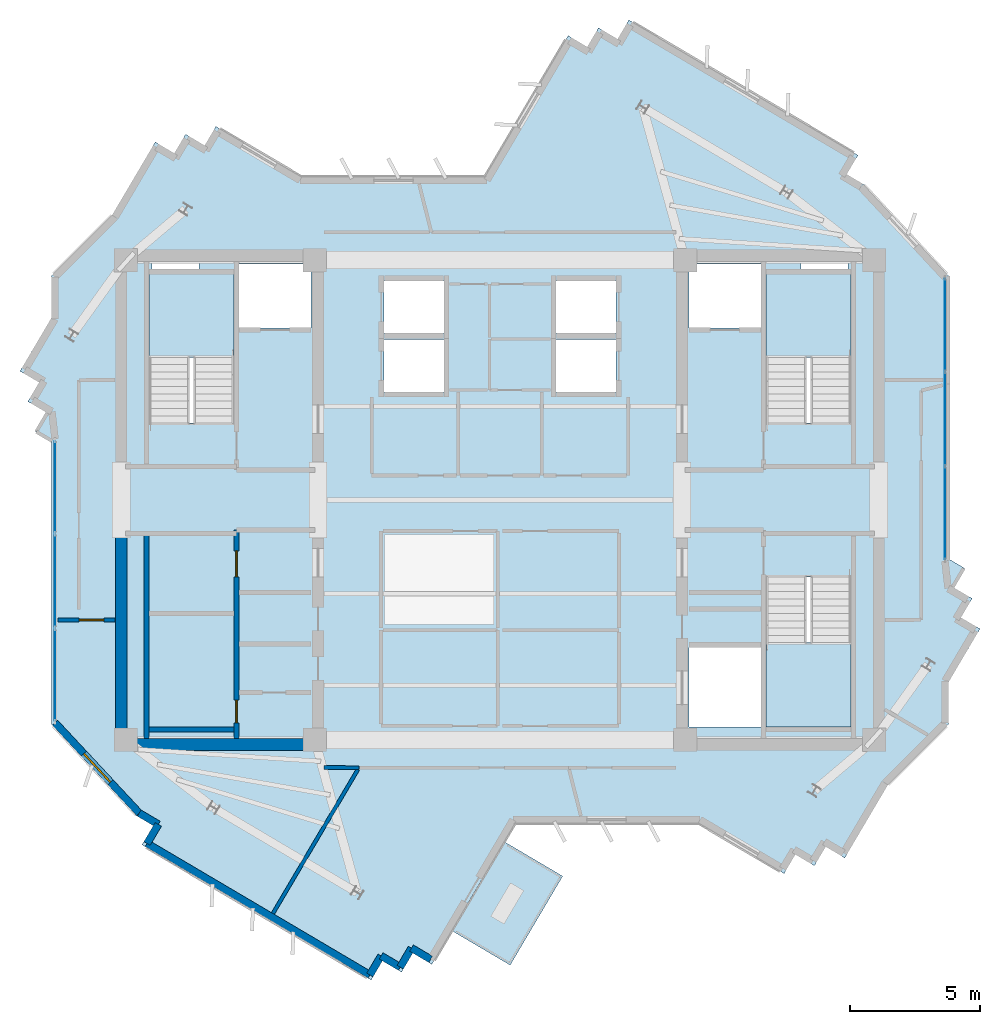
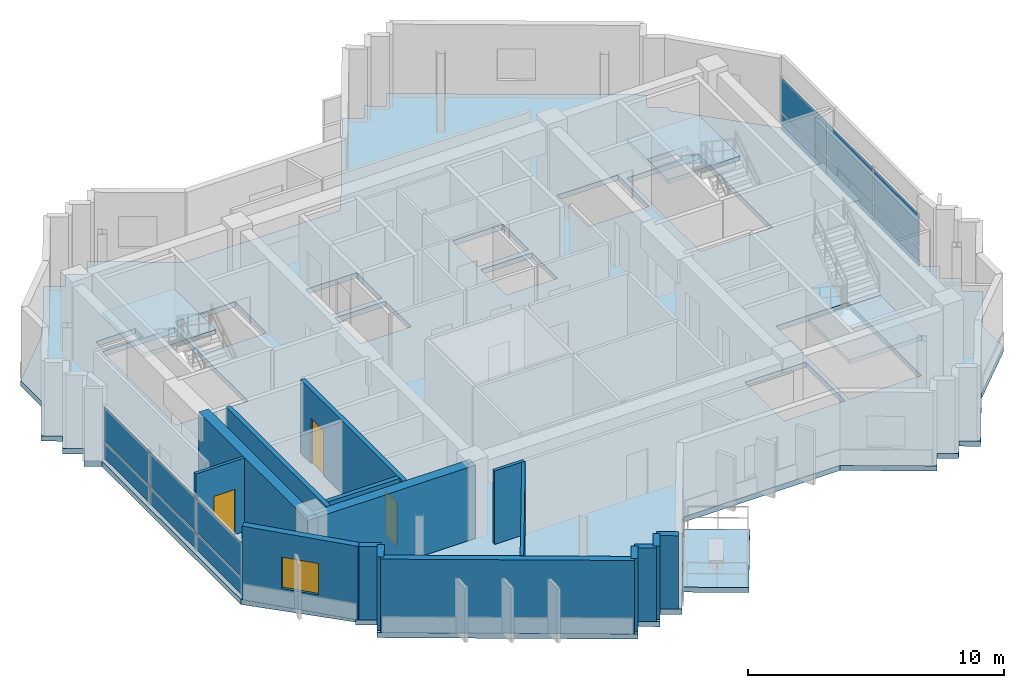
# One storey, part 3 of 10: 16 walls, 12 plates, 5 slabs, 3 doors, 1 window, 4 openings, 5 elements without a shape of their own.
"""IFC4 building model written with IfcOpenShell, lengths in metres."""

from ifc_helpers import new_model, si_unit, direction, frame, frame_2d, origin, origin_2d, place, context, subcontext, project, spatial, polyline, rectangle, outline, extrude, source, transform, mapped, material, layer, layer_set, type_object, element, fill, aggregate, save


model = new_model("IFC4")

# Units and contexts
model_context = context("Model", 3, precision=1e-05, world=origin(), true_north=direction((0.0, 1.0)))
body_context = subcontext(model_context, "Body", "Model", "MODEL_VIEW")
ifc_project = project(units=[si_unit("LENGTHUNIT", "METRE"), si_unit("AREAUNIT", "SQUARE_METRE"), si_unit("VOLUMEUNIT", "CUBIC_METRE"), si_unit("PLANEANGLEUNIT", "RADIAN"), si_unit("MASSUNIT", "GRAM", prefix="KILO")], contexts=[model_context])

# Site, building, storey
site_placement = place(None, origin())
site = spatial("IfcSite", under=ifc_project, at=site_placement, CompositionType="ELEMENT")
building_placement = place(site_placement, origin())
building = spatial("IfcBuilding", under=site, at=building_placement, Name="Zahravan Cultural Tower", CompositionType="ELEMENT")
storey_placement = place(building_placement, frame((0.0, 0.0, 346.050048828125)))
storey = spatial("IfcBuildingStorey", under=building, at=storey_placement, Name="L84", CompositionType="ELEMENT", Elevation=346.050048828125)

# Stair, slab
ifc_material_1 = material(Name="Concrete C45/55", Category="concrete")
stair_type = type_object("IfcStairType", Name="STR-DL-1550-375", PredefinedType="HALF_TURN_STAIR", material=ifc_material_1)
stair_1_placement = place(storey_placement, origin())
stair_1 = element("IfcStair", 1, at=stair_1_placement, inside=storey, type_object=stair_type, Name="L84 West Core North Exit Stair ST-W1", PredefinedType="HALF_TURN_STAIR")
ifc_layer_1 = layer(ifc_material_1, 0.199951171875)
ifc_layer_set_1 = layer_set([ifc_layer_1], Name="Concrete C45/55")
slab_type_1 = type_object("IfcSlabType", Name="SL-STAIR-LND200", PredefinedType="LANDING", material=ifc_layer_set_1)
slab_1_placement = place(storey_placement, frame((0.0, 0.0, 1.675048828125)))
slab_1 = element("IfcSlab", 2, at=slab_1_placement, type_object=slab_type_1, Name="ST-W1 landing 1", PredefinedType="LANDING", context=body_context, shape_type="SweptSolid", body=[
    extrude(outline(polyline([(25.800048828125, 32.469970703125), (25.800048828125, 35.699951171875), (22.550048828125, 35.699951171875), (22.550048828125, 32.469970703125), (25.800048828125, 32.469970703125)])), origin(), (0.0, 0.0, 1.0), 0.199951171875),
])
aggregate(stair_1, [slab_1])

stair_2_placement = place(storey_placement, origin())
stair_2 = element("IfcStair", 3, at=stair_2_placement, inside=storey, type_object=stair_type, Name="L84 East Core North Exit Stair ST-E1", PredefinedType="HALF_TURN_STAIR")
slab_2_placement = place(storey_placement, frame((0.0, 0.0, 1.675048828125)))
slab_2 = element("IfcSlab", 4, at=slab_2_placement, type_object=slab_type_1, Name="ST-E1 landing 1", PredefinedType="LANDING", context=body_context, shape_type="SweptSolid", body=[
    extrude(outline(polyline([(49.449951171875, 32.469970703125), (49.449951171875, 35.699951171875), (46.199951171875, 35.699951171875), (46.199951171875, 32.469970703125), (49.449951171875, 32.469970703125)])), origin(), (0.0, 0.0, 1.0), 0.199951171875),
])
aggregate(stair_2, [slab_2])

stair_3_placement = place(storey_placement, origin())
stair_3 = element("IfcStair", 5, at=stair_3_placement, inside=storey, type_object=stair_type, Name="L84 East Core South Exit Stair ST-E2", PredefinedType="HALF_TURN_STAIR")
slab_3_placement = place(storey_placement, frame((0.0, 0.0, 1.675048828125)))
slab_3 = element("IfcSlab", 6, at=slab_3_placement, type_object=slab_type_1, Name="ST-E2 landing 1", PredefinedType="LANDING", context=body_context, shape_type="SweptSolid", body=[
    extrude(outline(polyline([(46.199951171875, 21.530029296875), (46.199951171875, 18.300048828125), (49.449951171875, 18.300048828125), (49.449951171875, 21.530029296875), (46.199951171875, 21.530029296875)])), origin(), (0.0, 0.0, 1.0), 0.199951171875),
])
aggregate(stair_3, [slab_3])

# Slabs
ifc_material_2 = material(Name="Concrete C40/50", Category="concrete")
ifc_layer_2 = layer(ifc_material_2, 0.239990234375)
ifc_layer_set_2 = layer_set([ifc_layer_2], Name="Concrete C40/50")
slab_type_2 = type_object("IfcSlabType", Name="SL-TERR-240", PredefinedType="FLOOR", material=ifc_layer_set_2)
slab_4_placement = place(storey_placement, frame((0.0, 0.0, -0.239990234375)))
element("IfcSlab", 7, at=slab_4_placement, inside=storey, type_object=slab_type_2, Name="L84 Planted Sculpture Terrace SW", PredefinedType="FLOOR", context=body_context, shape_type="SweptSolid", body=[
    extrude(outline(polyline([(38.40234375, 12.576904296875), (36.16748046875, 13.895751953125), (34.15478515625, 10.4853515625), (36.389404296875, 9.16650390625), (38.40234375, 12.576904296875)])), origin(), (0.0, 0.0, 1.0), 0.239990234375),
])
ifc_layer_3 = layer(ifc_material_2, 0.25)
ifc_layer_set_3 = layer_set([ifc_layer_3], Name="Concrete C40/50")
slab_type_3 = type_object("IfcSlabType", Name="SL-TYP-250", PredefinedType="FLOOR", material=ifc_layer_set_3)
slab_5_placement = place(storey_placement, frame((0.0, 0.0, -0.25)))
element("IfcSlab", 8, at=slab_5_placement, inside=storey, type_object=slab_type_3, Name="L84 Structural Floor Slab", PredefinedType="FLOOR", context=body_context, shape_type="SweptSolid", body=[
    extrude(outline(polyline([(35.422607421875, 39.39990234375), (28.369140625, 39.39990234375), (25.10888671875, 41.32421875), (24.677001953125, 40.59228515625), (23.945068359375, 41.024169921875), (23.512939453125, 40.292236328125), (22.781005859375, 40.724365234375), (21.134033203125, 37.93408203125), (18.800048828125, 35.60009765625), (18.800048828125, 33.9794921875), (17.59619140625, 31.940185546875), (18.328369140625, 31.508056640625), (17.896240234375, 30.776123046875), (18.62841796875, 30.343994140625), (18.1962890625, 29.612060546875), (18.800048828125, 29.255615234375), (18.800048828125, 18.39990234375), (22.079345703125, 15.12060546875), (21.975830078125, 14.945068359375), (22.707763671875, 14.512939453125), (22.275634765625, 13.781005859375), (31.059814453125, 8.59619140625), (31.491943359375, 9.328369140625), (32.223876953125, 8.896240234375), (32.656005859375, 9.62841796875), (33.387939453125, 9.1962890625), (36.577392578125, 14.60009765625), (43.630859375, 14.60009765625), (46.89111328125, 12.67578125), (47.322998046875, 13.40771484375), (48.054931640625, 12.975830078125), (48.487060546875, 13.707763671875), (49.218994140625, 13.275634765625), (50.865966796875, 16.06591796875), (53.199951171875, 18.39990234375), (53.199951171875, 20.0205078125), (54.40380859375, 22.059814453125), (53.671630859375, 22.491943359375), (54.103759765625, 23.223876953125), (53.37158203125, 23.656005859375), (53.8037109375, 24.387939453125), (53.199951171875, 24.744384765625), (53.199951171875, 35.60009765625), (49.920654296875, 38.87939453125), (50.024169921875, 39.054931640625), (49.292236328125, 39.487060546875), (49.724365234375, 40.218994140625), (40.940185546875, 45.40380859375), (40.508056640625, 44.671630859375), (39.776123046875, 45.103759765625), (39.343994140625, 44.37158203125), (38.612060546875, 44.8037109375), (35.422607421875, 39.39990234375)]), holes=[polyline([(22.550048828125, 29.949951171875), (22.550048828125, 35.699951171875), (25.800048828125, 35.699951171875), (25.800048828125, 29.949951171875), (22.550048828125, 29.949951171875)]), polyline([(46.199951171875, 29.949951171875), (46.199951171875, 35.699951171875), (49.449951171875, 35.699951171875), (49.449951171875, 29.949951171875), (46.199951171875, 29.949951171875)]), polyline([(46.199951171875, 18.300048828125), (46.199951171875, 24.050048828125), (49.449951171875, 24.050048828125), (49.449951171875, 18.300048828125), (46.199951171875, 18.300048828125)]), polyline([(26.0, 33.60009765625), (26.0, 36.050048828125), (28.75, 36.050048828125), (28.75, 33.60009765625), (26.0, 33.60009765625)]), polyline([(43.25, 33.60009765625), (43.25, 36.050048828125), (46.0, 36.050048828125), (46.0, 33.60009765625), (43.25, 33.60009765625)]), polyline([(43.25, 18.300048828125), (43.25, 21.35009765625), (46.0, 21.35009765625), (46.0, 18.300048828125), (43.25, 18.300048828125)]), polyline([(31.550048828125, 33.39990234375), (31.550048828125, 35.39990234375), (33.85009765625, 35.39990234375), (33.85009765625, 33.39990234375), (31.550048828125, 33.39990234375)]), polyline([(31.550048828125, 31.14990234375), (31.550048828125, 33.14990234375), (33.85009765625, 33.14990234375), (33.85009765625, 31.14990234375), (31.550048828125, 31.14990234375)]), polyline([(38.14990234375, 33.39990234375), (38.14990234375, 35.39990234375), (40.449951171875, 35.39990234375), (40.449951171875, 33.39990234375), (38.14990234375, 33.39990234375)]), polyline([(38.14990234375, 31.14990234375), (38.14990234375, 33.14990234375), (40.449951171875, 33.14990234375), (40.449951171875, 31.14990234375), (38.14990234375, 31.14990234375)]), polyline([(22.64990234375, 35.800048828125), (22.64990234375, 36.419921875), (24.449951171875, 36.419921875), (24.449951171875, 35.800048828125), (22.64990234375, 35.800048828125)]), polyline([(47.550048828125, 35.800048828125), (47.550048828125, 36.419921875), (49.35009765625, 36.419921875), (49.35009765625, 35.800048828125), (47.550048828125, 35.800048828125)])]), origin(), (0.0, 0.0, 1.0), 0.25),
])

# Curtain wall, plates
ifc_material_3 = material(Name="Anodised bronze-aluminium mullion", Category="aluminium")
ifc_layer_4 = layer(ifc_material_3, 0.1650390625)
ifc_layer_set_4 = layer_set([ifc_layer_4], Name="Anodised bronze-aluminium mullion")
curtain_wall_type_1 = type_object("IfcCurtainWallType", Name="CW-SYS-4", PredefinedType="USERDEFINED", material=ifc_layer_set_4)
curtain_wall_1_placement = place(storey_placement, origin())
curtain_wall_1 = element("IfcCurtainWall", 9, at=curtain_wall_1_placement, inside=storey, type_object=curtain_wall_type_1, Name="L84 Recessed Curtain Wall CW-4.1", ObjectType="RECESSED GLAZING", PredefinedType="USERDEFINED")
ifc_material_4 = material(Name="Low-E solar-control double glazing", Category="glass")
ifc_layer_5 = layer(ifc_material_4, 0.02587890625)
ifc_layer_set_5 = layer_set([ifc_layer_5], Name="Low-E solar-control double glazing")
plate_type_1 = type_object("IfcPlateType", Name="CWP-CW-4", PredefinedType="CURTAIN_PANEL", material=ifc_layer_set_5)
shared_shape_1 = source(origin(), body_context, "Body", "SweptSolid", [
    extrude(rectangle(XDim=3.5283203125, YDim=0.02587890625, at=origin_2d()), origin(), (0.0, 0.0, 1.0), 0.802490234375),
])
plate_1_placement = place(storey_placement, frame((53.06005859375, 33.712890625, 0.06494140625), z_axis=(0.0, 0.0, 1.0), x_axis=(0.0, -1.0, 0.0)))
plate_1 = element("IfcPlate", 10, at=plate_1_placement, type_object=plate_type_1, Name="CW-4 panel 1.1", PredefinedType="CURTAIN_PANEL", context=body_context, shape_type="MappedRepresentation", body=[
    mapped(shared_shape_1, transform((0.0, 0.0, 0.0), x_axis=(1.0, 0.0, 0.0), y_axis=(0.0, 1.0, 0.0), z_axis=(0.0, 0.0, 1.0), scale=1.0)),
])
plate_2_placement = place(storey_placement, frame((53.06005859375, 26.49365234375, 0.06494140625), z_axis=(0.0, 0.0, 1.0), x_axis=(0.0, -1.0, 0.0)))
plate_2 = element("IfcPlate", 11, at=plate_2_placement, type_object=plate_type_1, Name="CW-4 panel 3.1", PredefinedType="CURTAIN_PANEL", context=body_context, shape_type="MappedRepresentation", body=[
    mapped(shared_shape_1, transform((0.0, 0.0, 0.0), x_axis=(1.0, 0.0, 0.0), y_axis=(0.0, 1.0, 0.0), z_axis=(0.0, 0.0, 1.0), scale=1.0)),
])
shared_shape_2 = source(origin(), body_context, "Body", "SweptSolid", [
    extrude(rectangle(XDim=3.5283203125, YDim=0.02587890625, at=origin_2d()), origin(), (0.0, 0.0, 1.0), 1.62255859375),
])
plate_3_placement = place(storey_placement, frame((53.06005859375, 33.712890625, 0.932373046875), z_axis=(0.0, 0.0, 1.0), x_axis=(0.0, -1.0, 0.0)))
plate_3 = element("IfcPlate", 12, at=plate_3_placement, type_object=plate_type_1, Name="CW-4 panel 1.2", PredefinedType="CURTAIN_PANEL", context=body_context, shape_type="MappedRepresentation", body=[
    mapped(shared_shape_2, transform((0.0, 0.0, 0.0), x_axis=(1.0, 0.0, 0.0), y_axis=(0.0, 1.0, 0.0), z_axis=(0.0, 0.0, 1.0), scale=1.0)),
])
plate_4_placement = place(storey_placement, frame((53.06005859375, 26.49365234375, 0.932373046875), z_axis=(0.0, 0.0, 1.0), x_axis=(0.0, -1.0, 0.0)))
plate_4 = element("IfcPlate", 13, at=plate_4_placement, type_object=plate_type_1, Name="CW-4 panel 3.2", PredefinedType="CURTAIN_PANEL", context=body_context, shape_type="MappedRepresentation", body=[
    mapped(shared_shape_2, transform((0.0, 0.0, 0.0), x_axis=(1.0, 0.0, 0.0), y_axis=(0.0, 1.0, 0.0), z_axis=(0.0, 0.0, 1.0), scale=1.0)),
])
shared_shape_3 = source(origin(), body_context, "Body", "SweptSolid", [
    extrude(rectangle(XDim=3.560791015625, YDim=0.02587890625, at=origin_2d()), origin(), (0.0, 0.0, 1.0), 0.802490234375),
])
plate_5_placement = place(storey_placement, frame((53.06005859375, 30.103271484375, 0.06494140625), z_axis=(0.0, 0.0, 1.0), x_axis=(0.0, -1.0, 0.0)))
plate_5 = element("IfcPlate", 14, at=plate_5_placement, type_object=plate_type_1, Name="CW-4 panel 2.1", PredefinedType="CURTAIN_PANEL", context=body_context, shape_type="MappedRepresentation", body=[
    mapped(shared_shape_3, transform((0.0, 0.0, 0.0), x_axis=(1.0, 0.0, 0.0), y_axis=(0.0, 1.0, 0.0), z_axis=(0.0, 0.0, 1.0), scale=1.0)),
])
shared_shape_4 = source(origin(), body_context, "Body", "SweptSolid", [
    extrude(rectangle(XDim=3.560791015625, YDim=0.02587890625, at=origin_2d()), origin(), (0.0, 0.0, 1.0), 1.62255859375),
])
plate_6_placement = place(storey_placement, frame((53.06005859375, 30.103271484375, 0.932373046875), z_axis=(0.0, 0.0, 1.0), x_axis=(0.0, -1.0, 0.0)))
plate_6 = element("IfcPlate", 15, at=plate_6_placement, type_object=plate_type_1, Name="CW-4 panel 2.2", PredefinedType="CURTAIN_PANEL", context=body_context, shape_type="MappedRepresentation", body=[
    mapped(shared_shape_4, transform((0.0, 0.0, 0.0), x_axis=(1.0, 0.0, 0.0), y_axis=(0.0, 1.0, 0.0), z_axis=(0.0, 0.0, 1.0), scale=1.0)),
])
aggregate(curtain_wall_1, [plate_1, plate_3, plate_5, plate_6, plate_2, plate_4])

ifc_layer_6 = layer(ifc_material_3, 0.219970703125)
ifc_layer_set_6 = layer_set([ifc_layer_6], Name="Anodised bronze-aluminium mullion")
curtain_wall_type_2 = type_object("IfcCurtainWallType", Name="CW-SYS-1", PredefinedType="USERDEFINED", material=ifc_layer_set_6)
curtain_wall_2_placement = place(storey_placement, origin())
curtain_wall_2 = element("IfcCurtainWall", 16, at=curtain_wall_2_placement, inside=storey, type_object=curtain_wall_type_2, Name="L84 Recessed Curtain Wall CW-1.2", ObjectType="RECESSED GLAZING", PredefinedType="USERDEFINED")
ifc_layer_7 = layer(ifc_material_4, 0.031982421875)
ifc_layer_set_7 = layer_set([ifc_layer_7], Name="Low-E solar-control double glazing")
plate_type_2 = type_object("IfcPlateType", Name="CWP-CW-1", PredefinedType="CURTAIN_PANEL", material=ifc_layer_set_7)
shared_shape_5 = source(origin(), body_context, "Body", "SweptSolid", [
    extrude(rectangle(XDim=3.505859375, YDim=0.031982421875, at=origin_2d()), origin(), (0.0, 0.0, 1.0), 0.780029296875),
])
plate_7_placement = place(storey_placement, frame((18.93994140625, 20.291015625, 0.080078125), z_axis=(0.0, 0.0, 1.0), x_axis=(0.0, 1.0, 0.0)))
plate_7 = element("IfcPlate", 17, at=plate_7_placement, type_object=plate_type_2, Name="CW-1 panel 1.1", PredefinedType="CURTAIN_PANEL", context=body_context, shape_type="MappedRepresentation", body=[
    mapped(shared_shape_5, transform((0.0, 0.0, 0.0), x_axis=(1.0, 0.0, 0.0), y_axis=(0.0, 1.0, 0.0), z_axis=(0.0, 0.0, 1.0), scale=1.0)),
])
plate_8_placement = place(storey_placement, frame((18.93994140625, 27.502685546875, 0.080078125), z_axis=(0.0, 0.0, 1.0), x_axis=(0.0, 1.0, 0.0)))
plate_8 = element("IfcPlate", 18, at=plate_8_placement, type_object=plate_type_2, Name="CW-1 panel 3.1", PredefinedType="CURTAIN_PANEL", context=body_context, shape_type="MappedRepresentation", body=[
    mapped(shared_shape_5, transform((0.0, 0.0, 0.0), x_axis=(1.0, 0.0, 0.0), y_axis=(0.0, 1.0, 0.0), z_axis=(0.0, 0.0, 1.0), scale=1.0)),
])
shared_shape_6 = source(origin(), body_context, "Body", "SweptSolid", [
    extrude(rectangle(XDim=3.505859375, YDim=0.031982421875, at=origin_2d()), origin(), (0.0, 0.0, 1.0), 1.60009765625),
])
plate_9_placement = place(storey_placement, frame((18.93994140625, 20.291015625, 0.93994140625), z_axis=(0.0, 0.0, 1.0), x_axis=(0.0, 1.0, 0.0)))
plate_9 = element("IfcPlate", 19, at=plate_9_placement, type_object=plate_type_2, Name="CW-1 panel 1.2", PredefinedType="CURTAIN_PANEL", context=body_context, shape_type="MappedRepresentation", body=[
    mapped(shared_shape_6, transform((0.0, 0.0, 0.0), x_axis=(1.0, 0.0, 0.0), y_axis=(0.0, 1.0, 0.0), z_axis=(0.0, 0.0, 1.0), scale=1.0)),
])
plate_10_placement = place(storey_placement, frame((18.93994140625, 27.502685546875, 0.93994140625), z_axis=(0.0, 0.0, 1.0), x_axis=(0.0, 1.0, 0.0)))
plate_10 = element("IfcPlate", 20, at=plate_10_placement, type_object=plate_type_2, Name="CW-1 panel 3.2", PredefinedType="CURTAIN_PANEL", context=body_context, shape_type="MappedRepresentation", body=[
    mapped(shared_shape_6, transform((0.0, 0.0, 0.0), x_axis=(1.0, 0.0, 0.0), y_axis=(0.0, 1.0, 0.0), z_axis=(0.0, 0.0, 1.0), scale=1.0)),
])
shared_shape_7 = source(origin(), body_context, "Body", "SweptSolid", [
    extrude(rectangle(XDim=3.5458984375, YDim=0.031982421875, at=origin_2d()), origin(), (0.0, 0.0, 1.0), 0.780029296875),
])
plate_11_placement = place(storey_placement, frame((18.93994140625, 23.896728515625, 0.080078125), z_axis=(0.0, 0.0, 1.0), x_axis=(0.0, 1.0, 0.0)))
plate_11 = element("IfcPlate", 21, at=plate_11_placement, type_object=plate_type_2, Name="CW-1 panel 2.1", PredefinedType="CURTAIN_PANEL", context=body_context, shape_type="MappedRepresentation", body=[
    mapped(shared_shape_7, transform((0.0, 0.0, 0.0), x_axis=(1.0, 0.0, 0.0), y_axis=(0.0, 1.0, 0.0), z_axis=(0.0, 0.0, 1.0), scale=1.0)),
])
shared_shape_8 = source(origin(), body_context, "Body", "SweptSolid", [
    extrude(rectangle(XDim=3.5458984375, YDim=0.031982421875, at=origin_2d()), origin(), (0.0, 0.0, 1.0), 1.60009765625),
])
plate_12_placement = place(storey_placement, frame((18.93994140625, 23.896728515625, 0.93994140625), z_axis=(0.0, 0.0, 1.0), x_axis=(0.0, 1.0, 0.0)))
plate_12 = element("IfcPlate", 22, at=plate_12_placement, type_object=plate_type_2, Name="CW-1 panel 2.2", PredefinedType="CURTAIN_PANEL", context=body_context, shape_type="MappedRepresentation", body=[
    mapped(shared_shape_8, transform((0.0, 0.0, 0.0), x_axis=(1.0, 0.0, 0.0), y_axis=(0.0, 1.0, 0.0), z_axis=(0.0, 0.0, 1.0), scale=1.0)),
])
aggregate(curtain_wall_2, [plate_7, plate_9, plate_11, plate_12, plate_8, plate_10])

# Wall, opening, window
ifc_material_5 = material(Name="Precast concrete C40/50", Category="concrete")
ifc_layer_8 = layer(ifc_material_5, 0.280029296875)
ifc_layer_set_8 = layer_set([ifc_layer_8], Name="Precast concrete C40/50")
wall_type_1 = type_object("IfcWallType", Name="EW-TC-280", PredefinedType="SOLIDWALL", material=ifc_layer_set_8)
wall_1_placement = place(storey_placement, frame((22.16748046875, 14.994384765625, 0.0), z_axis=(0.0, 0.0, 1.0), x_axis=(-0.681733754317, 0.731600361006, 0.0)))
wall_1 = element("IfcWall", 23, at=wall_1_placement, inside=storey, type_object=wall_type_1, Name="L84 Exterior Masonry Frame Wall 32", PredefinedType="SOLIDWALL", context=body_context, shape_type="SweptSolid", body=[
    extrude(rectangle(XDim=4.734375, YDim=0.280029296875, at=frame_2d((2.3671875, 0.0))), origin(), (0.0, 0.0, 1.0), 3.5),
])
opening_1_placement = place(wall_1_placement, frame((1.616943359375, 0.0, 0.85009765625)))
opening_1 = element("IfcOpeningElement", 24, at=opening_1_placement, cuts=wall_1, Name="Opening WN-03", PredefinedType="OPENING", context=body_context, shape_type="SweptSolid", body=[
    extrude(rectangle(XDim=1.5, YDim=1.5, at=frame_2d((0.75, 0.75))), frame((0.0, 0.14990234375, 0.0), z_axis=(0.0, -1.0, 0.0), x_axis=(1.0, 0.0, 0.0)), (0.0, 0.0, 1.0), 0.300048828125),
])
window_type = type_object("IfcWindowType", Name="WN-REC-1500X1500", PartitioningType="SINGLE_PANEL", PredefinedType="WINDOW", material=ifc_material_4)
shared_shape_9 = source(origin(), body_context, "Body", "SweptSolid", [
    extrude(rectangle(XDim=1.5, YDim=1.5, at=frame_2d((0.75, 0.75))), frame((0.0, 0.030029296875, 0.0), z_axis=(0.0, -1.0, 0.0), x_axis=(1.0, 0.0, 0.0)), (0.0, 0.0, 1.0), 0.06005859375),
])
window_placement = place(opening_1_placement, origin())
window = element("IfcWindow", 25, at=window_placement, inside=storey, type_object=window_type, Name="L84 Recessed Solar Window 06", OverallHeight=1.5, OverallWidth=1.5, PartitioningType="SINGLE_PANEL", PredefinedType="WINDOW", context=body_context, shape_type="MappedRepresentation", body=[
    mapped(shared_shape_9, transform((0.0, 0.0, 0.0), x_axis=(1.0, 0.0, 0.0), y_axis=(0.0, 1.0, 0.0), z_axis=(0.0, 0.0, 1.0), scale=1.0)),
])
fill(opening_1, window)

# Wall, opening, door
ifc_material_6 = material(Name="Gypsum plasterboard partition")
ifc_layer_9 = layer(ifc_material_6, 0.139892578125)
ifc_layer_set_9 = layer_set([ifc_layer_9], Name="Gypsum plasterboard partition")
wall_type_2 = type_object("IfcWallType", Name="W-PART-140", PredefinedType="PARTITIONING", material=ifc_layer_set_9)
wall_2_placement = place(storey_placement, frame((19.050048828125, 22.401611328125, 0.0), z_axis=(0.0, 0.0, 1.0), x_axis=(0.999999696925, -0.000778556098, 0.0)))
wall_2 = element("IfcWall", 26, at=wall_2_placement, inside=storey, type_object=wall_type_2, Name="L84 Interior Wall 078", PredefinedType="PARTITIONING", context=body_context, shape_type="SweptSolid", body=[
    extrude(rectangle(XDim=2.195068359375, YDim=0.139892578125, at=frame_2d((1.09765625, 0.0))), origin(), (0.0, 0.0, 1.0), 3.5),
])
opening_2_placement = place(wall_2_placement, frame((0.809326171875, 0.0, 0.0)))
opening_2 = element("IfcOpeningElement", 27, at=opening_2_placement, cuts=wall_2, Name="Opening D-L84-25", PredefinedType="OPENING", context=body_context, shape_type="SweptSolid", body=[
    extrude(rectangle(XDim=0.949951171875, YDim=2.14990234375, at=frame_2d((0.47509765625, 1.074951171875))), frame((0.0, 0.079833984375, 0.0), z_axis=(0.0, -1.0, 0.0), x_axis=(1.0, 0.0, 0.0)), (0.0, 0.0, 1.0), 0.159912109375),
])
door_type_1 = type_object("IfcDoorType", Name="DR-ROOM-950", OperationType="NOTDEFINED", PredefinedType="DOOR", material=ifc_material_3)
shared_shape_10 = source(origin(), body_context, "Body", "SweptSolid", [
    extrude(rectangle(XDim=0.949951171875, YDim=2.14990234375, at=frame_2d((0.47509765625, 1.074951171875))), frame((0.0, 0.02490234375, 0.0), z_axis=(0.0, -1.0, 0.0), x_axis=(1.0, 0.0, 0.0)), (0.0, 0.0, 1.0), 0.050048828125),
])
door_1_placement = place(opening_2_placement, origin())
door_1 = element("IfcDoor", 28, at=door_1_placement, inside=storey, type_object=door_type_1, Name="L84 Door D-L84-25", OperationType="SINGLE_SWING_LEFT", OverallHeight=2.14990234375, OverallWidth=0.949951171875, PredefinedType="DOOR", context=body_context, shape_type="MappedRepresentation", body=[
    mapped(shared_shape_10, transform((0.0, 0.0, 0.0), x_axis=(1.0, 0.0, 0.0), y_axis=(0.0, 1.0, 0.0), z_axis=(0.0, 0.0, 1.0), scale=1.0)),
])
fill(opening_2, door_1)

# Wall, openings, doors
ifc_layer_10 = layer(ifc_material_1, 0.199951171875)
ifc_layer_set_10 = layer_set([ifc_layer_10], Name="Concrete C45/55")
wall_type_3 = type_object("IfcWallType", Name="W-SHAFT-200", PredefinedType="SOLIDWALL", material=ifc_layer_set_10)
wall_3_placement = place(storey_placement, frame((25.89990234375, 17.85009765625, 0.0), z_axis=(0.0, 0.0, 1.0), x_axis=(0.0, 1.0, 0.0)))
wall_3 = element("IfcWall", 29, at=wall_3_placement, inside=storey, type_object=wall_type_3, Name="L84 Interior Wall 005", PredefinedType="SOLIDWALL", context=body_context, shape_type="SweptSolid", body=[
    extrude(rectangle(XDim=8.0, YDim=0.199951171875, at=frame_2d((4.0, 0.0))), origin(), (0.0, 0.0, 1.0), 3.5),
])
opening_3_placement = place(wall_3_placement, frame((6.199951171875, 0.0, 0.0)))
opening_3 = element("IfcOpeningElement", 30, at=opening_3_placement, cuts=wall_3, Name="Opening D-L84-04", PredefinedType="OPENING", context=body_context, shape_type="SweptSolid", body=[
    extrude(rectangle(XDim=1.0, YDim=2.14990234375, at=frame_2d((0.5, 1.074951171875))), frame((0.0, 0.10986328125, 0.0), z_axis=(0.0, -1.0, 0.0), x_axis=(1.0, 0.0, 0.0)), (0.0, 0.0, 1.0), 0.219970703125),
])
opening_4_placement = place(wall_3_placement, frame((0.60009765625, 0.0, 0.0)))
opening_4 = element("IfcOpeningElement", 31, at=opening_4_placement, cuts=wall_3, Name="Opening D-L84-05", PredefinedType="OPENING", context=body_context, shape_type="SweptSolid", body=[
    extrude(rectangle(XDim=0.8798828125, YDim=2.10009765625, at=frame_2d((0.43994140625, 1.050048828125))), frame((0.0, 0.10986328125, 0.0), z_axis=(0.0, -1.0, 0.0), x_axis=(1.0, 0.0, 0.0)), (0.0, 0.0, 1.0), 0.219970703125),
])
ifc_material_7 = material(Name="Steel ASTM A572 Grade 50", Category="steel")
door_type_2 = type_object("IfcDoorType", Name="DR-SVC-880", OperationType="NOTDEFINED", PredefinedType="DOOR", material=ifc_material_7)
shared_shape_11 = source(origin(), body_context, "Body", "SweptSolid", [
    extrude(rectangle(XDim=0.8798828125, YDim=2.10009765625, at=frame_2d((0.43994140625, 1.050048828125))), frame((0.0, 0.02490234375, 0.0), z_axis=(0.0, -1.0, 0.0), x_axis=(1.0, 0.0, 0.0)), (0.0, 0.0, 1.0), 0.050048828125),
])
door_2_placement = place(opening_4_placement, origin())
door_2 = element("IfcDoor", 32, at=door_2_placement, inside=storey, type_object=door_type_2, Name="L84 Door D-L84-05", OperationType="SINGLE_SWING_LEFT", OverallHeight=2.10009765625, OverallWidth=0.8798828125, PredefinedType="DOOR", context=body_context, shape_type="MappedRepresentation", body=[
    mapped(shared_shape_11, transform((0.0, 0.0, 0.0), x_axis=(1.0, 0.0, 0.0), y_axis=(0.0, 1.0, 0.0), z_axis=(0.0, 0.0, 1.0), scale=1.0)),
])
fill(opening_4, door_2)
door_type_3 = type_object("IfcDoorType", Name="DR-COMP-1000", OperationType="NOTDEFINED", PredefinedType="DOOR", material=ifc_material_7)
shared_shape_12 = source(origin(), body_context, "Body", "SweptSolid", [
    extrude(rectangle(XDim=1.0, YDim=2.14990234375, at=frame_2d((0.5, 1.074951171875))), frame((0.0, 0.02490234375, 0.0), z_axis=(0.0, -1.0, 0.0), x_axis=(1.0, 0.0, 0.0)), (0.0, 0.0, 1.0), 0.050048828125),
])
door_3_placement = place(opening_3_placement, origin())
door_3 = element("IfcDoor", 33, at=door_3_placement, inside=storey, type_object=door_type_3, Name="L84 Door D-L84-04", OperationType="SINGLE_SWING_RIGHT", OverallHeight=2.14990234375, OverallWidth=1.0, PredefinedType="DOOR", context=body_context, shape_type="MappedRepresentation", body=[
    mapped(shared_shape_12, transform((0.0, 0.0, 0.0), x_axis=(1.0, 0.0, 0.0), y_axis=(0.0, 1.0, 0.0), z_axis=(0.0, 0.0, 1.0), scale=1.0)),
])
fill(opening_3, door_3)

# Walls
ifc_material_8 = material(Name="Concrete C50/60", Category="concrete")
ifc_layer_11 = layer(ifc_material_8, 0.449951171875)
ifc_layer_set_11 = layer_set([ifc_layer_11], Name="Concrete C50/60")
wall_type_4 = type_object("IfcWallType", Name="CW-SHEAR-450-C50", PredefinedType="SHEAR", material=ifc_layer_set_11)
shared_shape_13 = source(origin(), body_context, "Body", "SweptSolid", [
    extrude(rectangle(XDim=8.550048828125, YDim=0.449951171875, at=frame_2d((4.27490234375, 0.0))), origin(), (0.0, 0.0, 1.0), 3.5),
])
wall_4_placement = place(storey_placement, frame((21.47509765625, 17.39990234375, 0.0), z_axis=(0.0, 0.0, 1.0), x_axis=(0.0, 1.0, 0.0)))
element("IfcWall", 34, at=wall_4_placement, inside=storey, type_object=wall_type_4, Name="L84 Core Shear Wall CW-W-WS-L84", PredefinedType="SHEAR", context=body_context, shape_type="MappedRepresentation", body=[
    mapped(shared_shape_13, transform((0.0, 0.0, 0.0), x_axis=(1.0, 0.0, 0.0), y_axis=(0.0, 1.0, 0.0), z_axis=(0.0, 0.0, 1.0), scale=1.0)),
])
shared_shape_14 = source(origin(), body_context, "Body", "SweptSolid", [
    extrude(rectangle(XDim=7.10009765625, YDim=0.449951171875, at=frame_2d((3.550048828125, 0.0))), origin(), (0.0, 0.0, 1.0), 3.5),
])
wall_5_placement = place(storey_placement, frame((21.699951171875, 17.625, 0.0), z_axis=(0.0, 0.0, 1.0), x_axis=(1.0, 0.0, 0.0)))
element("IfcWall", 35, at=wall_5_placement, inside=storey, type_object=wall_type_4, Name="L84 Core Shear Wall CW-W-S-L84", PredefinedType="SHEAR", context=body_context, shape_type="MappedRepresentation", body=[
    mapped(shared_shape_14, transform((0.0, 0.0, 0.0), x_axis=(1.0, 0.0, 0.0), y_axis=(0.0, 1.0, 0.0), z_axis=(0.0, 0.0, 1.0), scale=1.0)),
])
shared_shape_15 = source(origin(), body_context, "Body", "SweptSolid", [
    extrude(rectangle(XDim=0.85009765625, YDim=0.280029296875, at=frame_2d((0.425048828125, 0.0))), origin(), (0.0, 0.0, 1.0), 3.5),
])
for number, where, z_axis, x_axis, name in (
    (36, (33.338623046875, 9.387939453125, 0.0), (0.0, 0.0, 1.0), (-0.861195099131, 0.508274533332, 0.0), "L84 Exterior Masonry Frame Wall 25"),
    (37, (32.6064453125, 9.820068359375, 0.0), (0.0, 0.0, 1.0), (-0.508061511919, -0.861320788154, 0.0), "L84 Exterior Masonry Frame Wall 26"),
    (38, (32.174560546875, 9.087890625, 0.0), (0.0, 0.0, 1.0), (-0.861195099131, 0.508274533332, 0.0), "L84 Exterior Masonry Frame Wall 27"),
    (39, (22.46728515625, 13.830322265625, 0.0), (0.0, 0.0, 1.0), (0.508400256027, 0.861120885632, 0.0), "L84 Exterior Masonry Frame Wall 30"),
    (40, (22.8994140625, 14.562255859375, 0.0), (0.0, 0.0, 1.0), (-0.861120885632, 0.508400256027, 0.0), "L84 Exterior Masonry Frame Wall 31"),
):
    element("IfcWall", number, at=place(storey_placement, frame(where, z_axis=z_axis, x_axis=x_axis)), inside=storey, type_object=wall_type_1, Name=name, PredefinedType="SOLIDWALL", context=body_context, shape_type="MappedRepresentation", body=[
        mapped(shared_shape_15, transform((0.0, 0.0, 0.0), x_axis=(1.0, 0.0, 0.0), y_axis=(0.0, 1.0, 0.0), z_axis=(0.0, 0.0, 1.0), scale=1.0)),
    ])
shared_shape_16 = source(origin(), body_context, "Body", "SweptSolid", [
    extrude(rectangle(XDim=0.849853515625, YDim=0.280029296875, at=frame_2d((0.4248046875, 0.0))), origin(), (0.0, 0.0, 1.0), 3.5),
])
wall_6_placement = place(storey_placement, frame((31.4423828125, 9.52001953125, 0.0), z_axis=(0.0, 0.0, 1.0), x_axis=(-0.508187218622, -0.861246626019, 0.0)))
element("IfcWall", 41, at=wall_6_placement, inside=storey, type_object=wall_type_1, Name="L84 Exterior Masonry Frame Wall 28", PredefinedType="SOLIDWALL", context=body_context, shape_type="MappedRepresentation", body=[
    mapped(shared_shape_16, transform((0.0, 0.0, 0.0), x_axis=(1.0, 0.0, 0.0), y_axis=(0.0, 1.0, 0.0), z_axis=(0.0, 0.0, 1.0), scale=1.0)),
])
shared_shape_17 = source(origin(), body_context, "Body", "SweptSolid", [
    extrude(rectangle(XDim=9.920166015625, YDim=0.280029296875, at=frame_2d((4.9599609375, 0.0))), origin(), (0.0, 0.0, 1.0), 3.5),
])
wall_7_placement = place(storey_placement, frame((31.010498046875, 8.7880859375, 0.0), z_axis=(0.0, 0.0, 1.0), x_axis=(-0.861192451778, 0.508279018848, 0.0)))
element("IfcWall", 42, at=wall_7_placement, inside=storey, type_object=wall_type_1, Name="L84 Exterior Masonry Frame Wall 29", PredefinedType="SOLIDWALL", context=body_context, shape_type="MappedRepresentation", body=[
    mapped(shared_shape_17, transform((0.0, 0.0, 0.0), x_axis=(1.0, 0.0, 0.0), y_axis=(0.0, 1.0, 0.0), z_axis=(0.0, 0.0, 1.0), scale=1.0)),
])
shared_shape_18 = source(origin(), body_context, "Body", "SweptSolid", [
    extrude(rectangle(XDim=7.869873046875, YDim=0.199951171875, at=frame_2d((3.93505859375, 0.0))), origin(), (0.0, 0.0, 1.0), 3.5),
])
wall_8_placement = place(storey_placement, frame((22.449951171875, 17.85009765625, 0.0), z_axis=(0.0, 0.0, 1.0), x_axis=(0.0, 1.0, 0.0)))
element("IfcWall", 43, at=wall_8_placement, inside=storey, type_object=wall_type_3, Name="L84 Interior Wall 001", PredefinedType="SOLIDWALL", context=body_context, shape_type="MappedRepresentation", body=[
    mapped(shared_shape_18, transform((0.0, 0.0, 0.0), x_axis=(1.0, 0.0, 0.0), y_axis=(0.0, 1.0, 0.0), z_axis=(0.0, 0.0, 1.0), scale=1.0)),
])
shared_shape_19 = source(origin(), body_context, "Body", "SweptSolid", [
    extrude(rectangle(XDim=3.25, YDim=0.199951171875, at=frame_2d((1.625, 0.0))), origin(), (0.0, 0.0, 1.0), 3.5),
])
wall_9_placement = place(storey_placement, frame((22.550048828125, 18.199951171875, 0.0), z_axis=(0.0, 0.0, 1.0), x_axis=(1.0, 0.0, 0.0)))
element("IfcWall", 44, at=wall_9_placement, inside=storey, type_object=wall_type_3, Name="L84 Interior Wall 019", PredefinedType="SOLIDWALL", context=body_context, shape_type="MappedRepresentation", body=[
    mapped(shared_shape_19, transform((0.0, 0.0, 0.0), x_axis=(1.0, 0.0, 0.0), y_axis=(0.0, 1.0, 0.0), z_axis=(0.0, 0.0, 1.0), scale=1.0)),
])
shared_shape_20 = source(origin(), body_context, "Body", "SweptSolid", [
    extrude(rectangle(XDim=1.3427734375, YDim=0.139892578125, at=frame_2d((0.67138671875, 0.0))), origin(), (0.0, 0.0, 1.0), 3.5),
])
wall_10_placement = place(storey_placement, frame((29.251708984375, 16.74267578125, 0.0), z_axis=(0.0, 0.0, 1.0), x_axis=(0.999997619843, -0.002181812989, 0.0)))
element("IfcWall", 45, at=wall_10_placement, inside=storey, type_object=wall_type_2, Name="L84 Interior Wall 079", PredefinedType="PARTITIONING", context=body_context, shape_type="MappedRepresentation", body=[
    mapped(shared_shape_20, transform((0.0, 0.0, 0.0), x_axis=(1.0, 0.0, 0.0), y_axis=(0.0, 1.0, 0.0), z_axis=(0.0, 0.0, 1.0), scale=1.0)),
])
shared_shape_21 = source(origin(), body_context, "Body", "SweptSolid", [
    extrude(rectangle(XDim=6.404541015625, YDim=0.139892578125, at=frame_2d((3.2021484375, 0.0))), origin(), (0.0, 0.0, 1.0), 3.5),
])
wall_11_placement = place(storey_placement, frame((30.55029296875, 16.664794921875, 0.0), z_axis=(0.0, 0.0, 1.0), x_axis=(-0.508299006291, -0.861180654801, 0.0)))
element("IfcWall", 46, at=wall_11_placement, inside=storey, type_object=wall_type_2, Name="L84 Interior Wall 080", PredefinedType="PARTITIONING", context=body_context, shape_type="MappedRepresentation", body=[
    mapped(shared_shape_21, transform((0.0, 0.0, 0.0), x_axis=(1.0, 0.0, 0.0), y_axis=(0.0, 1.0, 0.0), z_axis=(0.0, 0.0, 1.0), scale=1.0)),
])

save(model, "model.ifc")
